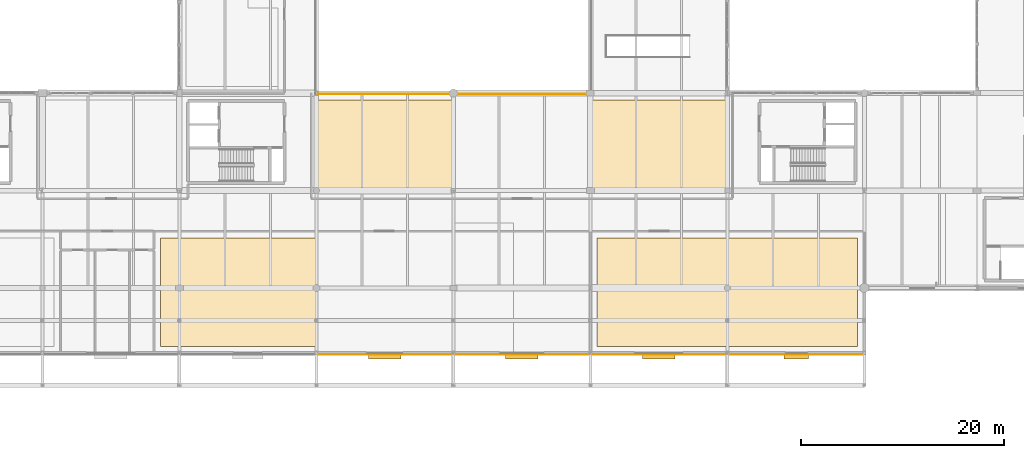
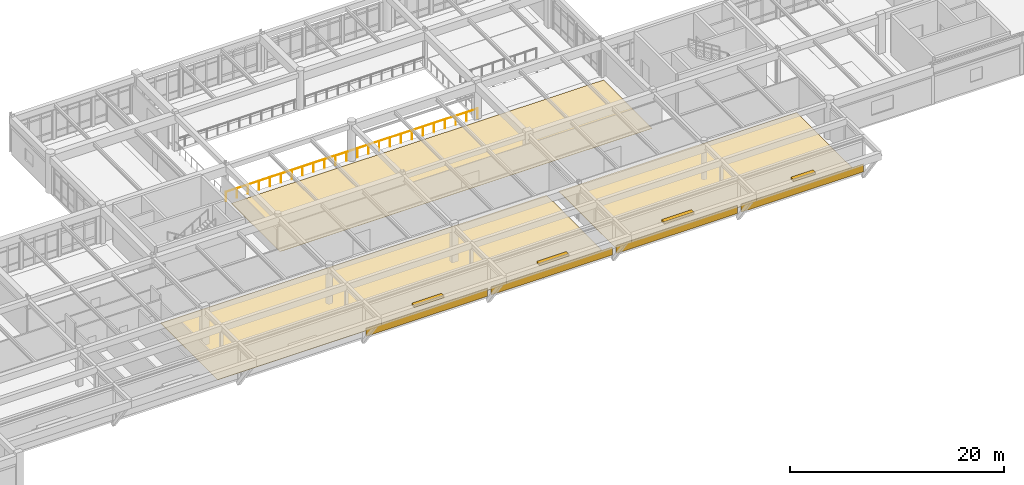
# One storey, part 75 of 80: 7 coverings, 4 shading devices, 1 railing.
"""IFC4 building model written with IfcOpenShell, lengths in metres."""

from ifc_helpers import new_model, si_unit, direction, frame, origin, origin_2d, place, context, subcontext, project, spatial, polyline, rectangle, circle, outline, extrude, material, layer, layer_set, type_object, element, save


model = new_model("IFC4")

# Units and contexts
model_context = context("Model", 3, precision=1e-05, world=origin(), true_north=direction((0.0, 1.0)))
body_context = subcontext(model_context, "Body", "Model", "MODEL_VIEW")
ifc_project = project(units=[si_unit("LENGTHUNIT", "METRE"), si_unit("AREAUNIT", "SQUARE_METRE"), si_unit("VOLUMEUNIT", "CUBIC_METRE"), si_unit("PLANEANGLEUNIT", "RADIAN"), si_unit("MASSUNIT", "GRAM", prefix="KILO")], contexts=[model_context])

# Site, building, storey
site_placement = place(None, origin())
site = spatial("IfcSite", under=ifc_project, at=site_placement, CompositionType="ELEMENT")
building_placement = place(site_placement, origin())
building = spatial("IfcBuilding", under=site, at=building_placement, Name="Fikremerkos Civic Library", CompositionType="ELEMENT")
storey_placement = place(building_placement, frame((0.0, 0.0, 9.89990234375)))
storey = spatial("IfcBuildingStorey", under=building, at=storey_placement, Name="L02", CompositionType="ELEMENT", Elevation=9.89990234375)

# Shading devices
ifc_material_1 = material(Name="Bronze anodized aluminium", Category="aluminium")
shading_device_type = type_object("IfcShadingDeviceType", Name="Horizontal sun-control louvre bank SHD-01", PredefinedType="JALOUSIE", material=ifc_material_1)
shading_device_placement = place(storey_placement, frame((107.006103515625, 5.22998046875, 1.919921875), z_axis=(0.0, 0.0, 1.0), x_axis=(1.0, 0.0, 0.0)))
element("IfcShadingDevice", 1, at=shading_device_placement, inside=storey, type_object=shading_device_type, Name="Sun-control louvre hood SHD-01 L02 #30", PredefinedType="JALOUSIE", context=body_context, shape_type="SweptSolid", body=[
    extrude(rectangle(XDim=2.39990234375, YDim=0.449951171875, at=origin_2d()), origin(), (0.0, 0.0, 1.0), 0.219970703125),
])
for number, where, z_axis, x_axis, name in (
    (2, (93.449951171875, 5.22998046875, 1.97021484375), (0.0, 0.0, 1.0), (1.0, 0.0, 0.0), "Sun-control louvre hood SHD-01 L02 #31"),
    (3, (79.949951171875, 5.22998046875, 1.919921875), (0.0, 0.0, 1.0), (1.0, 0.0, 0.0), "Sun-control louvre hood SHD-01 L02 #32"),
    (4, (66.449951171875, 5.22998046875, 1.8701171875), (0.0, 0.0, 1.0), (1.0, 0.0, 0.0), "Sun-control louvre hood SHD-01 L02 #33"),
):
    element("IfcShadingDevice", number, at=place(storey_placement, frame(where, z_axis=z_axis, x_axis=x_axis)), inside=storey, type_object=shading_device_type, Name=name, PredefinedType="JALOUSIE", context=body_context, shape_type="SweptSolid", body=[
        extrude(rectangle(XDim=3.199951171875, YDim=0.449951171875, at=origin_2d()), origin(), (0.0, 0.0, 1.0), 0.219970703125),
    ])

# Railing
ifc_material_2 = material(Name="Painted Steel S275", Category="steel")
railing_type = type_object("IfcRailingType", Name="Interior balustrade guard RLG-INT 1100", PredefinedType="BALUSTRADE", material=ifc_material_2)
railing_placement = place(storey_placement, frame((59.6201171875, 31.1201171875, 0.0)))
element("IfcRailing", 5, at=railing_placement, inside=storey, type_object=railing_type, Name="Atrium void balustrade guard L02 S", PredefinedType="BALUSTRADE", context=body_context, shape_type="SweptSolid", body=[
    extrude(circle(Radius=0.02392578125, at=origin_2d()), frame((0.0, 0.0, 1.076171875), z_axis=(1.0, 0.0, 0.0), x_axis=(0.0, 1.0, 0.0)), (0.0, 0.0, 1.0), 27.159912109375),
    extrude(circle(Radius=0.02099609375, at=origin_2d()), origin(), (0.0, 0.0, 1.0), 1.052001953125),
    extrude(circle(Radius=0.02099609375, at=origin_2d()), frame((1.180908203125, 0.0, 0.0)), (0.0, 0.0, 1.0), 1.052001953125),
    extrude(circle(Radius=0.02099609375, at=origin_2d()), frame((2.36181640625, 0.0, 0.0)), (0.0, 0.0, 1.0), 1.052001953125),
    extrude(circle(Radius=0.02099609375, at=origin_2d()), frame((3.54248046875, 0.0, 0.0)), (0.0, 0.0, 1.0), 1.052001953125),
    extrude(circle(Radius=0.02099609375, at=origin_2d()), frame((4.723388671875, 0.0, 0.0)), (0.0, 0.0, 1.0), 1.052001953125),
    extrude(circle(Radius=0.02099609375, at=origin_2d()), frame((5.904296875, 0.0, 0.0)), (0.0, 0.0, 1.0), 1.052001953125),
    extrude(circle(Radius=0.02099609375, at=origin_2d()), frame((7.085205078125, 0.0, 0.0)), (0.0, 0.0, 1.0), 1.052001953125),
    extrude(circle(Radius=0.02099609375, at=origin_2d()), frame((8.26611328125, 0.0, 0.0)), (0.0, 0.0, 1.0), 1.052001953125),
    extrude(circle(Radius=0.02099609375, at=origin_2d()), frame((9.447021484375, 0.0, 0.0)), (0.0, 0.0, 1.0), 1.052001953125),
    extrude(circle(Radius=0.02099609375, at=origin_2d()), frame((10.627685546875, 0.0, 0.0)), (0.0, 0.0, 1.0), 1.052001953125),
    extrude(circle(Radius=0.02099609375, at=origin_2d()), frame((11.80859375, 0.0, 0.0)), (0.0, 0.0, 1.0), 1.052001953125),
    extrude(circle(Radius=0.02099609375, at=origin_2d()), frame((12.989501953125, 0.0, 0.0)), (0.0, 0.0, 1.0), 1.052001953125),
    extrude(circle(Radius=0.02099609375, at=origin_2d()), frame((14.17041015625, 0.0, 0.0)), (0.0, 0.0, 1.0), 1.052001953125),
    extrude(circle(Radius=0.02099609375, at=origin_2d()), frame((15.351318359375, 0.0, 0.0)), (0.0, 0.0, 1.0), 1.052001953125),
    extrude(circle(Radius=0.02099609375, at=origin_2d()), frame((16.5322265625, 0.0, 0.0)), (0.0, 0.0, 1.0), 1.052001953125),
    extrude(circle(Radius=0.02099609375, at=origin_2d()), frame((17.712890625, 0.0, 0.0)), (0.0, 0.0, 1.0), 1.052001953125),
    extrude(circle(Radius=0.02099609375, at=origin_2d()), frame((18.893798828125, 0.0, 0.0)), (0.0, 0.0, 1.0), 1.052001953125),
    extrude(circle(Radius=0.02099609375, at=origin_2d()), frame((20.07470703125, 0.0, 0.0)), (0.0, 0.0, 1.0), 1.052001953125),
    extrude(circle(Radius=0.02099609375, at=origin_2d()), frame((21.255615234375, 0.0, 0.0)), (0.0, 0.0, 1.0), 1.052001953125),
    extrude(circle(Radius=0.02099609375, at=origin_2d()), frame((22.4365234375, 0.0, 0.0)), (0.0, 0.0, 1.0), 1.052001953125),
    extrude(circle(Radius=0.02099609375, at=origin_2d()), frame((23.617431640625, 0.0, 0.0)), (0.0, 0.0, 1.0), 1.052001953125),
    extrude(circle(Radius=0.02099609375, at=origin_2d()), frame((24.798095703125, 0.0, 0.0)), (0.0, 0.0, 1.0), 1.052001953125),
    extrude(circle(Radius=0.02099609375, at=origin_2d()), frame((25.97900390625, 0.0, 0.0)), (0.0, 0.0, 1.0), 1.052001953125),
    extrude(circle(Radius=0.02099609375, at=origin_2d()), frame((27.159912109375, 0.0, 0.0)), (0.0, 0.0, 1.0), 1.052001953125),
])

# Coverings
ifc_material_3 = material(Name="Polished basalt terrazzo", Category="masonry")
ifc_layer_1 = layer(ifc_material_3, 0.030029296875, Name="Polished basalt terrazzo")
ifc_layer_set_1 = layer_set([ifc_layer_1], Name="Polished basalt terrazzo")
covering_type_1 = type_object("IfcCoveringType", Name="Polished basalt terrazzo flooring FLR-01", PredefinedType="FLOORING", material=ifc_layer_set_1)
covering_1_placement = place(storey_placement, origin())
element("IfcCovering", 6, at=covering_1_placement, inside=storey, type_object=covering_type_1, Name="Terrazzo floor finish Science and Technology Reading Room", PredefinedType="FLOORING", context=body_context, shape_type="SweptSolid", body=[
    extrude(outline(polyline([(44.35009765625, 16.949951171875), (86.050048828125, 16.949951171875), (86.050048828125, 6.25), (44.35009765625, 6.25), (44.35009765625, 16.949951171875)])), origin(), (0.0, 0.0, 1.0), 0.030029296875),
])
covering_2_placement = place(storey_placement, origin())
element("IfcCovering", 7, at=covering_2_placement, inside=storey, type_object=covering_type_1, Name="Terrazzo floor finish Digital Commons and Media Lab", PredefinedType="FLOORING", context=body_context, shape_type="SweptSolid", body=[
    extrude(outline(polyline([(87.35009765625, 16.949951171875), (113.050048828125, 16.949951171875), (113.050048828125, 6.25), (87.35009765625, 6.25), (87.35009765625, 16.949951171875)])), origin(), (0.0, 0.0, 1.0), 0.030029296875),
])
covering_3_placement = place(storey_placement, origin())
element("IfcCovering", 8, at=covering_3_placement, inside=storey, type_object=covering_type_1, Name="Terrazzo floor finish Open Book Stacks Sciences", PredefinedType="FLOORING", context=body_context, shape_type="SweptSolid", body=[
    extrude(outline(polyline([(59.85009765625, 30.550048828125), (100.050048828125, 30.550048828125), (100.050048828125, 21.449951171875), (59.85009765625, 21.449951171875), (59.85009765625, 30.550048828125)])), origin(), (0.0, 0.0, 1.0), 0.030029296875),
])
ifc_material_4 = material(Name="Precast concrete C40/50", Category="concrete")
ifc_layer_2 = layer(ifc_material_4, 0.044921875, Name="Precast concrete C40/50")
ifc_layer_set_2 = layer_set([ifc_layer_2], Name="Precast concrete C40/50")
covering_type_2 = type_object("IfcCoveringType", Name="Precast basalt facade cladding CLD-01", PredefinedType="CLADDING", material=ifc_layer_set_2)
covering_4_placement = place(storey_placement, frame((107.006103515625, 5.427978515625, 0.050048828125), z_axis=(0.0, 0.0, 1.0), x_axis=(1.0, 0.0, 0.0)))
element("IfcCovering", 9, at=covering_4_placement, inside=storey, type_object=covering_type_2, Name="Basalt spandrel cladding CLD-01 L02 #8", PredefinedType="CLADDING", context=body_context, shape_type="SweptSolid", body=[
    extrude(rectangle(XDim=13.2080078125, YDim=0.044921875, at=origin_2d()), origin(), (0.0, 0.0, 1.0), 0.89990234375),
])
for number, where, z_axis, x_axis, name in (
    (10, (93.449951171875, 5.427978515625, 0.050048828125), (0.0, 0.0, 1.0), (1.0, 0.0, 0.0), "Basalt spandrel cladding CLD-01 L02 #9"),
    (11, (79.949951171875, 5.427978515625, 0.050048828125), (0.0, 0.0, 1.0), (1.0, 0.0, 0.0), "Basalt spandrel cladding CLD-01 L02 #10"),
    (12, (66.449951171875, 5.427978515625, 0.050048828125), (0.0, 0.0, 1.0), (1.0, 0.0, 0.0), "Basalt spandrel cladding CLD-01 L02 #11"),
):
    element("IfcCovering", number, at=place(storey_placement, frame(where, z_axis=z_axis, x_axis=x_axis)), inside=storey, type_object=covering_type_2, Name=name, PredefinedType="CLADDING", context=body_context, shape_type="SweptSolid", body=[
        extrude(rectangle(XDim=13.095947265625, YDim=0.044921875, at=origin_2d()), origin(), (0.0, 0.0, 1.0), 0.89990234375),
    ])

save(model, "model.ifc")
